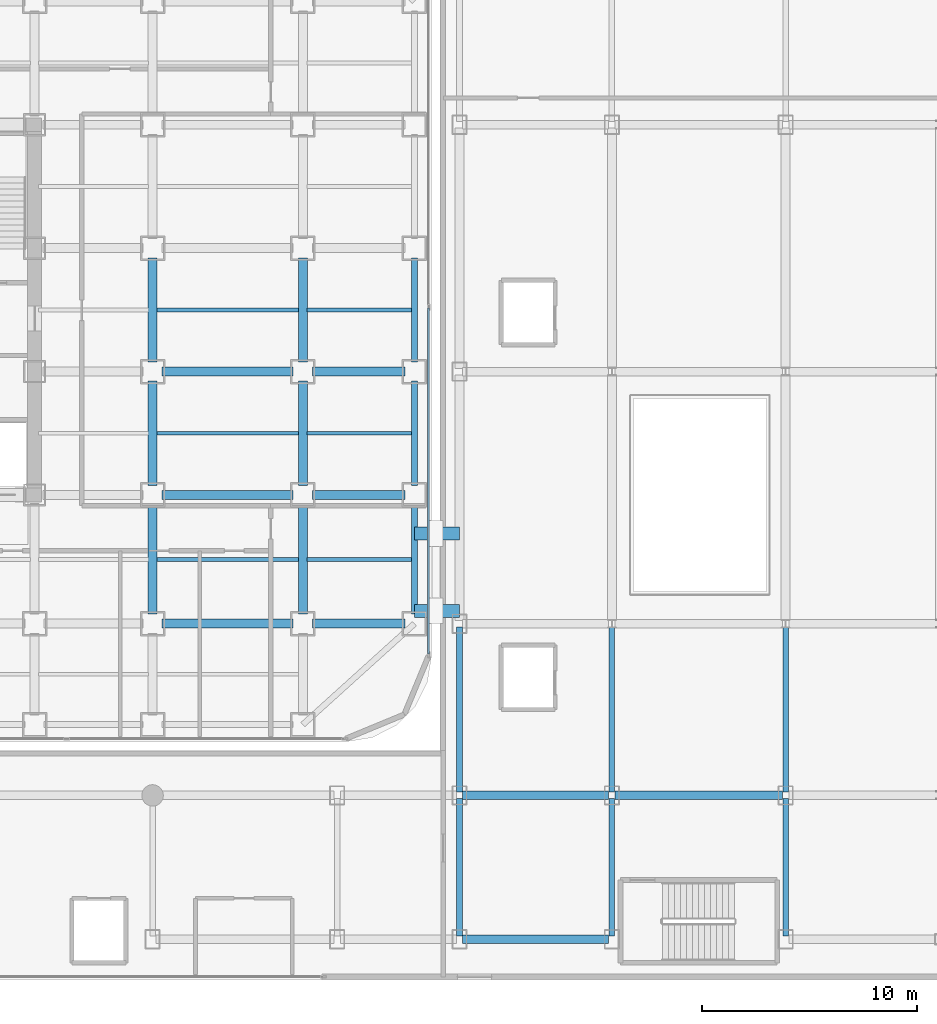
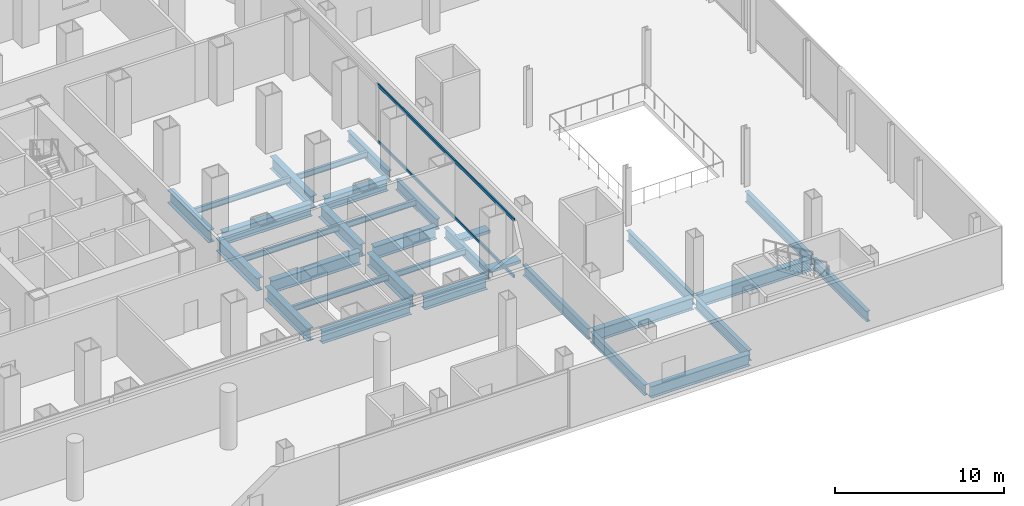
# One storey, part 11 of 26: 30 beams, 4 members, 1 element without a shape of its own.
"""IFC4 building model written with IfcOpenShell, lengths in metres."""

import ifcopenshell
import ifcopenshell.guid

model = None  # the IFC model being written
_history = None  # IfcOwnerHistory: only IFC2X3 demands one
_inside = {}  # id of a spatial element -> (the spatial element, [elements in it])
_under = {}  # id of a project, library or spatial element -> (it, [spatial elements below it])
_declared = {}  # id of a project -> (the project, [libraries it declares])
_typed = {}  # id of a type object -> (the type object, [elements of that type])
_made_of = {}  # id of a material, layer set ... -> (it, [elements and type objects made of it])


def new_model(schema):
    """Start an empty IFC model of exactly this schema.

    Asked for "IFC4X3", IfcOpenShell would pick the latest addendum, in which some entities
    have other attributes; the version numbers below select the first issue.
    IFC2X3 requires an IfcOwnerHistory on every rooted entity: one is made here for all.
    """
    global model, _history
    if schema == "IFC4X3":
        model = ifcopenshell.file(schema_version=(4, 3, 0, 0))
    else:
        model = ifcopenshell.file(schema=schema)
    _inside.clear()
    _under.clear()
    _declared.clear()
    _typed.clear()
    _made_of.clear()
    _history = None
    if model.schema == "IFC2X3":
        org = make("IfcOrganization", Name="unknown")
        user = make(
            "IfcPersonAndOrganization",
            ThePerson=make("IfcPerson", FamilyName="unknown"),
            TheOrganization=org,
        )
        app = make(
            "IfcApplication",
            ApplicationDeveloper=org,
            Version="unknown",
            ApplicationFullName="unknown",
            ApplicationIdentifier="unknown",
        )
        _history = make(
            "IfcOwnerHistory",
            OwningUser=user,
            OwningApplication=app,
            ChangeAction="ADDED",
            CreationDate=0,
        )
    return model


def make(cls, **values):
    """One entity of the class cls with the attributes given. An attribute that is None is left unset."""
    return model.create_entity(
        cls, **{name: value for name, value in values.items() if value is not None}
    )


def rooted(cls, **values):
    """An entity with a GlobalId (a new one), such as an element, a storey or a relation."""
    return make(cls, GlobalId=ifcopenshell.guid.new(), OwnerHistory=_history, **values)


def si_unit(unit_type, name, prefix=None):
    """IfcSIUnit, for example si_unit("LENGTHUNIT", "METRE", prefix="MILLI")."""
    return make("IfcSIUnit", UnitType=unit_type, Prefix=prefix, Name=name)


def assignment(units):
    """IfcUnitAssignment: the units of a project."""
    return None if units is None else make("IfcUnitAssignment", Units=units)


def point(xyz):
    """IfcCartesianPoint."""
    return None if xyz is None else make("IfcCartesianPoint", Coordinates=xyz)


def direction(xyz):
    """IfcDirection."""
    return None if xyz is None else make("IfcDirection", DirectionRatios=xyz)


def frame(location, z_axis=None, x_axis=None):
    """IfcAxis2Placement3D, a coordinate frame: its origin and axes. An axis left out is left unset."""
    return make(
        "IfcAxis2Placement3D",
        Location=point(location),
        Axis=direction(z_axis),
        RefDirection=direction(x_axis),
    )


def frame_2d(location, x_axis=None):
    """IfcAxis2Placement2D, a coordinate frame in the plane: its origin and x axis."""
    return make(
        "IfcAxis2Placement2D", Location=point(location), RefDirection=direction(x_axis)
    )


def origin():
    """The frame at (0, 0, 0) with its axes left unset."""
    return frame((0.0, 0.0, 0.0))


def origin_2d():
    """The frame at (0, 0) in the plane with its x axis left unset."""
    return frame_2d((0.0, 0.0))


def place(relative_to, where):
    """IfcLocalPlacement: puts the frame where relative to a parent placement (None: the world)."""
    return make(
        "IfcLocalPlacement", PlacementRelTo=relative_to, RelativePlacement=where
    )


def context(
    kind, dimensions, precision=None, world=None, true_north=None, identifier=None
):
    """IfcGeometricRepresentationContext, for example the 3D "Model" context."""
    return make(
        "IfcGeometricRepresentationContext",
        ContextIdentifier=identifier,
        ContextType=kind,
        CoordinateSpaceDimension=dimensions,
        Precision=precision,
        WorldCoordinateSystem=world,
        TrueNorth=true_north,
    )


def subcontext(parent, identifier, kind, view, scale=None):
    """IfcGeometricRepresentationSubContext, for example "Body" below "Model"."""
    return make(
        "IfcGeometricRepresentationSubContext",
        ContextIdentifier=identifier,
        ContextType=kind,
        ParentContext=parent,
        TargetScale=scale,
        TargetView=view,
    )


def project(units=None, contexts=None):
    """IfcProject with its units and contexts."""
    return rooted(
        "IfcProject",
        Name="project",
        RepresentationContexts=contexts,
        UnitsInContext=assignment(units),
    )


def spatial(cls, under=None, at=None, **own):
    """A site, building, storey or space (cls), placed at a placement, below another one or the project."""
    s = rooted(cls, ObjectPlacement=at, **own)
    if under is not None:
        _under.setdefault(under.id(), (under, []))[1].append(s)
    return s


def profile(cls, at=None, kind="AREA", **sizes):
    """A parametric profile (cls). Its sizes go by their IFC names, for example OverallWidth=200.0."""
    return make(cls, ProfileType=kind, Position=at, **sizes)


def hollow_rectangle(**sizes):
    """IfcRectangleHollowProfileDef."""
    return profile("IfcRectangleHollowProfileDef", **sizes)


def i_section(**sizes):
    """IfcIShapeProfileDef."""
    return profile("IfcIShapeProfileDef", **sizes)


def extrude(swept, where, along, depth):
    """IfcExtrudedAreaSolid: the profile swept, set in the frame where, extruded along a direction by depth."""
    return make(
        "IfcExtrudedAreaSolid",
        SweptArea=swept,
        Position=where,
        ExtrudedDirection=direction(along),
        Depth=depth,
    )


def shape(context_of_items, identifier, shape_type, items):
    """IfcShapeRepresentation: the items that make up one representation, for example the "Body"."""
    return make(
        "IfcShapeRepresentation",
        ContextOfItems=context_of_items,
        RepresentationIdentifier=identifier,
        RepresentationType=shape_type,
        Items=items,
    )


def source(mapping_origin, context_of_items, identifier, shape_type, items):
    """IfcRepresentationMap: a shape defined once, which mapped items show again and again."""
    return make(
        "IfcRepresentationMap",
        MappingOrigin=mapping_origin,
        MappedRepresentation=shape(context_of_items, identifier, shape_type, items),
    )


def transform(
    local_origin,
    x_axis=None,
    y_axis=None,
    z_axis=None,
    scale=None,
    scale2=None,
    scale3=None,
    uniform=True,
):
    """IfcCartesianTransformationOperator3D, or its non-uniform kind. x_axis, y_axis, z_axis: its Axis1, 2, 3."""
    if uniform:
        return make(
            "IfcCartesianTransformationOperator3D",
            Axis1=direction(x_axis),
            Axis2=direction(y_axis),
            LocalOrigin=point(local_origin),
            Scale=scale,
            Axis3=direction(z_axis),
        )
    return make(
        "IfcCartesianTransformationOperator3DnonUniform",
        Axis1=direction(x_axis),
        Axis2=direction(y_axis),
        LocalOrigin=point(local_origin),
        Scale=scale,
        Axis3=direction(z_axis),
        Scale2=scale2,
        Scale3=scale3,
    )


def mapped(mapping_source, mapping_target):
    """IfcMappedItem: shows the shape of a source again, moved by a transform."""
    return make(
        "IfcMappedItem", MappingSource=mapping_source, MappingTarget=mapping_target
    )


def material(Name=None, Category=None):
    """IfcMaterial."""
    return make("IfcMaterial", Name=Name, Category=Category)


def layer(
    of_material, thickness, ventilated=None, Name=None, Category=None, Priority=None
):
    """IfcMaterialLayer: one layer of a wall or slab, of a material (None: an air gap)."""
    return make(
        "IfcMaterialLayer",
        Material=of_material,
        LayerThickness=thickness,
        IsVentilated=ventilated,
        Name=Name,
        Category=Category,
        Priority=Priority,
    )


def layer_set(layers, Name=None):
    """IfcMaterialLayerSet."""
    return make("IfcMaterialLayerSet", MaterialLayers=layers, LayerSetName=Name)


def material_profile(
    of_material, cross_section, Name=None, Category=None, Priority=None
):
    """IfcMaterialProfile: a cross section and its material."""
    return make(
        "IfcMaterialProfile",
        Name=Name,
        Material=of_material,
        Profile=cross_section,
        Priority=Priority,
        Category=Category,
    )


def profile_set(profiles, Name=None, composite=None):
    """IfcMaterialProfileSet."""
    return make(
        "IfcMaterialProfileSet",
        Name=Name,
        MaterialProfiles=profiles,
        CompositeProfile=composite,
    )


def made_of(thing, what):
    """Note that an element or type object is made of a material, layer set ...; save() writes the relation."""
    if what is not None:
        _made_of.setdefault(what.id(), (what, []))[1].append(thing)
    return thing


def type_object(cls, material=None, **own):
    """A type object (cls), such as IfcWallType, which elements share."""
    return made_of(rooted(cls, **own), material)


def element(
    cls,
    number,
    at=None,
    inside=None,
    cuts=None,
    type_object=None,
    material=None,
    context=None,
    identifier="Body",
    shape_type=None,
    held_by="IfcProductDefinitionShape",
    body=None,
    shapes=None,
    **own,
):
    """One element of the class cls, such as IfcWall. Its Tag is "e" and its number.

    at: its placement. inside: the storey or other place that contains it. cuts: it is an
    opening in that element (IfcRelVoidsElement). A single representation is given by context,
    identifier, shape_type and body (its items); several are given by shapes. held_by: the class
    of the entity that holds the representations. save() writes the other relations.
    """
    e = rooted(cls, Tag="e%d" % number, ObjectPlacement=at, **own)
    if body is not None:
        shapes = [shape(context, identifier, shape_type, body)]
    if shapes is not None:
        e.Representation = make(held_by, Representations=shapes)
    if inside is not None:
        _inside.setdefault(inside.id(), (inside, []))[1].append(e)
    if cuts is not None:
        rooted(
            "IfcRelVoidsElement", RelatingBuildingElement=cuts, RelatedOpeningElement=e
        )
    if type_object is not None:
        _typed.setdefault(type_object.id(), (type_object, []))[1].append(e)
    return made_of(e, material)


def aggregate(whole, parts):
    """IfcRelAggregates: a whole, such as a stair, and the parts it consists of."""
    return rooted("IfcRelAggregates", RelatingObject=whole, RelatedObjects=parts)


def save(model, path):
    """Write the relations noted so far, then the file.

    IfcRelAggregates (storeys below a building ...), IfcRelContainedInSpatialStructure (elements
    in a storey), IfcRelDefinesByType, IfcRelAssociatesMaterial and IfcRelDeclares: one each for
    every whole, place, type object, material and project.
    """
    for whole, parts in _under.values():
        aggregate(whole, parts)
    for where, things in _inside.values():
        rooted(
            "IfcRelContainedInSpatialStructure",
            RelatedElements=things,
            RelatingStructure=where,
        )
    for kind, things in _typed.values():
        rooted("IfcRelDefinesByType", RelatedObjects=things, RelatingType=kind)
    for what, things in _made_of.values():
        rooted("IfcRelAssociatesMaterial", RelatedObjects=things, RelatingMaterial=what)
    for by, libraries in _declared.values():
        rooted("IfcRelDeclares", RelatingContext=by, RelatedDefinitions=libraries)
    model.write(path)


model = new_model("IFC4")

# Units and contexts
model_context = context("Model", 3, precision=1e-05, world=origin(), true_north=direction((0.0, 1.0)))
body_context = subcontext(model_context, "Body", "Model", "MODEL_VIEW")
ifc_project = project(units=[si_unit("LENGTHUNIT", "METRE"), si_unit("AREAUNIT", "SQUARE_METRE"), si_unit("VOLUMEUNIT", "CUBIC_METRE"), si_unit("PLANEANGLEUNIT", "RADIAN"), si_unit("MASSUNIT", "GRAM", prefix="KILO")], contexts=[model_context])

# Site, building, storey
site_placement = place(None, origin())
site = spatial("IfcSite", under=ifc_project, at=site_placement, CompositionType="ELEMENT")
building_placement = place(site_placement, origin())
building = spatial("IfcBuilding", under=site, at=building_placement, Name="Kolveth Station Tower", CompositionType="ELEMENT")
storey_placement = place(building_placement, frame((0.0, 0.0, 4.5)))
storey = spatial("IfcBuildingStorey", under=building, at=storey_placement, Name="L01", CompositionType="ELEMENT", Elevation=4.5)

# Beams
ifc_material_1 = material(Name="Steel S355", Category="steel")
ifc_material_profile_1 = material_profile(ifc_material_1, i_section(OverallWidth=0.26904296875, OverallDepth=0.77490234375, WebThickness=0.01708984375, FlangeThickness=0.0283203125, at=origin_2d()), Name="W760x220")
ifc_profile_set_1 = profile_set([ifc_material_profile_1], Name="Steel S355")
beam_type_1 = type_object("IfcBeamType", Name="Beam_SP1", PredefinedType="SPANDREL", material=ifc_profile_set_1)
shared_shape_1 = source(origin(), body_context, "Body", "SweptSolid", [
    extrude(i_section(OverallWidth=0.26904296875, OverallDepth=0.77490234375, WebThickness=0.01708984375, FlangeThickness=0.0283203125, at=origin_2d()), origin(), (0.0, 0.0, 1.0), 5.10009765625),
])
beam_1_placement = place(storey_placement, frame((46.199951171875, 5.949951171875, -0.70751953125), z_axis=(0.0, 1.0, 0.0), x_axis=(-1.0, 0.0, 0.0)))
element("IfcBeam", 1, at=beam_1_placement, inside=storey, type_object=beam_type_1, Name="L01 Perimeter Spandrel BM-L01-PE-1", PredefinedType="SPANDREL", context=body_context, shape_type="MappedRepresentation", body=[
    mapped(shared_shape_1, transform((0.0, 0.0, 0.0), x_axis=(1.0, 0.0, 0.0), y_axis=(0.0, 1.0, 0.0), z_axis=(0.0, 0.0, 1.0), scale=1.0)),
])
shared_shape_2 = source(origin(), body_context, "Body", "SweptSolid", [
    extrude(i_section(OverallWidth=0.26904296875, OverallDepth=0.77490234375, WebThickness=0.01708984375, FlangeThickness=0.0283203125, at=origin_2d()), origin(), (0.0, 0.0, 1.0), 4.85009765625),
])
for number, where, z_axis, x_axis, name in (
    (2, (46.199951171875, 11.949951171875, -0.70751953125), (0.0, 1.0, 0.0), (-1.0, 0.0, 0.0), "L01 Perimeter Spandrel BM-L01-PE-2"),
    (3, (46.199951171875, 17.699951171875, -0.70751953125), (0.0, 1.0, 0.0), (-1.0, 0.0, 0.0), "L01 Perimeter Spandrel BM-L01-PE-3"),
):
    element("IfcBeam", number, at=place(storey_placement, frame(where, z_axis=z_axis, x_axis=x_axis)), inside=storey, type_object=beam_type_1, Name=name, PredefinedType="SPANDREL", context=body_context, shape_type="MappedRepresentation", body=[
        mapped(shared_shape_2, transform((0.0, 0.0, 0.0), x_axis=(1.0, 0.0, 0.0), y_axis=(0.0, 1.0, 0.0), z_axis=(0.0, 0.0, 1.0), scale=1.0)),
    ])
ifc_material_profile_2 = material_profile(ifc_material_1, i_section(OverallWidth=0.41796875, OverallDepth=0.912109375, WebThickness=0.019287109375, FlangeThickness=0.031982421875, at=origin_2d()), Name="W920x342")
ifc_profile_set_2 = profile_set([ifc_material_profile_2], Name="Steel S355")
beam_type_2 = type_object("IfcBeamType", Name="Beam_B1", PredefinedType="BEAM", material=ifc_profile_set_2)
shared_shape_3 = source(origin(), body_context, "Body", "SweptSolid", [
    extrude(i_section(OverallWidth=0.41796875, OverallDepth=0.912109375, WebThickness=0.019287109375, FlangeThickness=0.031982421875, at=origin_2d()), origin(), (0.0, 0.0, 1.0), 4.300048828125),
])
for number, where, z_axis, x_axis, name in (
    (4, (41.449951171875, 5.5, -0.77587890625), (1.0, 0.0, 0.0), (0.0, 1.0, 0.0), "L01 Primary Girder BM-L01-GY55-7"),
    (5, (41.449951171875, 11.5, -0.77587890625), (1.0, 0.0, 0.0), (0.0, 1.0, 0.0), "L01 Primary Girder BM-L01-GY115-7"),
    (6, (41.449951171875, 17.25, -0.77587890625), (1.0, 0.0, 0.0), (0.0, 1.0, 0.0), "L01 Primary Girder BM-L01-GY172-7"),
):
    element("IfcBeam", number, at=place(storey_placement, frame(where, z_axis=z_axis, x_axis=x_axis)), inside=storey, type_object=beam_type_2, Name=name, PredefinedType="BEAM", context=body_context, shape_type="MappedRepresentation", body=[
        mapped(shared_shape_3, transform((0.0, 0.0, 0.0), x_axis=(1.0, 0.0, 0.0), y_axis=(0.0, 1.0, 0.0), z_axis=(0.0, 0.0, 1.0), scale=1.0)),
    ])
shared_shape_4 = source(origin(), body_context, "Body", "SweptSolid", [
    extrude(i_section(OverallWidth=0.41796875, OverallDepth=0.912109375, WebThickness=0.019287109375, FlangeThickness=0.031982421875, at=origin_2d()), origin(), (0.0, 0.0, 1.0), 6.10009765625),
])
for number, where, z_axis, x_axis, name in (
    (7, (34.449951171875, 5.5, -0.77587890625), (1.0, 0.0, 0.0), (0.0, 1.0, 0.0), "L01 Primary Girder BM-L01-GY55-6"),
    (8, (34.449951171875, 11.5, -0.77587890625), (1.0, 0.0, 0.0), (0.0, 1.0, 0.0), "L01 Primary Girder BM-L01-GY115-6"),
    (9, (34.449951171875, 17.25, -0.77587890625), (1.0, 0.0, 0.0), (0.0, 1.0, 0.0), "L01 Primary Girder BM-L01-GY172-6"),
):
    element("IfcBeam", number, at=place(storey_placement, frame(where, z_axis=z_axis, x_axis=x_axis)), inside=storey, type_object=beam_type_2, Name=name, PredefinedType="BEAM", context=body_context, shape_type="MappedRepresentation", body=[
        mapped(shared_shape_4, transform((0.0, 0.0, 0.0), x_axis=(1.0, 0.0, 0.0), y_axis=(0.0, 1.0, 0.0), z_axis=(0.0, 0.0, 1.0), scale=1.0)),
    ])
shared_shape_5 = source(origin(), body_context, "Body", "SweptSolid", [
    extrude(i_section(OverallWidth=0.41796875, OverallDepth=0.912109375, WebThickness=0.019287109375, FlangeThickness=0.031982421875, at=origin_2d()), origin(), (0.0, 0.0, 1.0), 5.10009765625),
])
for number, where, z_axis, x_axis, name in (
    (10, (34.0, 5.949951171875, -0.77587890625), (0.0, 1.0, 0.0), (-1.0, 0.0, 0.0), "L01 Primary Girder BM-L01-GX340-2"),
    (11, (41.0, 5.949951171875, -0.77587890625), (0.0, 1.0, 0.0), (-1.0, 0.0, 0.0), "L01 Primary Girder BM-L01-GX410-2"),
):
    element("IfcBeam", number, at=place(storey_placement, frame(where, z_axis=z_axis, x_axis=x_axis)), inside=storey, type_object=beam_type_2, Name=name, PredefinedType="BEAM", context=body_context, shape_type="MappedRepresentation", body=[
        mapped(shared_shape_5, transform((0.0, 0.0, 0.0), x_axis=(1.0, 0.0, 0.0), y_axis=(0.0, 1.0, 0.0), z_axis=(0.0, 0.0, 1.0), scale=1.0)),
    ])
shared_shape_6 = source(origin(), body_context, "Body", "SweptSolid", [
    extrude(i_section(OverallWidth=0.41796875, OverallDepth=0.912109375, WebThickness=0.019287109375, FlangeThickness=0.031982421875, at=origin_2d()), origin(), (0.0, 0.0, 1.0), 4.85009765625),
])
for number, where, z_axis, x_axis, name in (
    (12, (34.0, 11.949951171875, -0.77587890625), (0.0, 1.0, 0.0), (-1.0, 0.0, 0.0), "L01 Primary Girder BM-L01-GX340-3"),
    (13, (34.0, 17.699951171875, -0.77587890625), (0.0, 1.0, 0.0), (-1.0, 0.0, 0.0), "L01 Primary Girder BM-L01-GX340-4"),
    (14, (41.0, 11.949951171875, -0.77587890625), (0.0, 1.0, 0.0), (-1.0, 0.0, 0.0), "L01 Primary Girder BM-L01-GX410-3"),
    (15, (41.0, 17.699951171875, -0.77587890625), (0.0, 1.0, 0.0), (-1.0, 0.0, 0.0), "L01 Primary Girder BM-L01-GX410-4"),
):
    element("IfcBeam", number, at=place(storey_placement, frame(where, z_axis=z_axis, x_axis=x_axis)), inside=storey, type_object=beam_type_2, Name=name, PredefinedType="BEAM", context=body_context, shape_type="MappedRepresentation", body=[
        mapped(shared_shape_6, transform((0.0, 0.0, 0.0), x_axis=(1.0, 0.0, 0.0), y_axis=(0.0, 1.0, 0.0), z_axis=(0.0, 0.0, 1.0), scale=1.0)),
    ])
ifc_material_profile_3 = material_profile(ifc_material_1, i_section(OverallWidth=0.177978515625, OverallDepth=0.406982421875, WebThickness=0.0078125, FlangeThickness=0.0126953125, at=origin_2d()), Name="W410x60")
ifc_profile_set_3 = profile_set([ifc_material_profile_3], Name="Steel S355")
beam_type_3 = type_object("IfcBeamType", Name="Beam_J1", PredefinedType="JOIST", material=ifc_profile_set_3)
shared_shape_7 = source(origin(), body_context, "Body", "SweptSolid", [
    extrude(i_section(OverallWidth=0.177978515625, OverallDepth=0.406982421875, WebThickness=0.0078125, FlangeThickness=0.0126953125, at=origin_2d()), origin(), (0.0, 0.0, 1.0), 4.872314453125),
])
for number, where, z_axis, x_axis, name in (
    (16, (41.195068359375, 8.5, -0.5234375), (1.0, 0.0, 0.0), (0.0, 1.0, 0.0), "L01 Secondary Joist JST-L01-7-2"),
    (17, (41.195068359375, 14.375, -0.5234375), (1.0, 0.0, 0.0), (0.0, 1.0, 0.0), "L01 Secondary Joist JST-L01-7-3"),
    (18, (41.195068359375, 20.125, -0.5234375), (1.0, 0.0, 0.0), (0.0, 1.0, 0.0), "L01 Secondary Joist JST-L01-7-4"),
):
    element("IfcBeam", number, at=place(storey_placement, frame(where, z_axis=z_axis, x_axis=x_axis)), inside=storey, type_object=beam_type_3, Name=name, PredefinedType="JOIST", context=body_context, shape_type="MappedRepresentation", body=[
        mapped(shared_shape_7, transform((0.0, 0.0, 0.0), x_axis=(1.0, 0.0, 0.0), y_axis=(0.0, 1.0, 0.0), z_axis=(0.0, 0.0, 1.0), scale=1.0)),
    ])
shared_shape_8 = source(origin(), body_context, "Body", "SweptSolid", [
    extrude(i_section(OverallWidth=0.177978515625, OverallDepth=0.406982421875, WebThickness=0.0078125, FlangeThickness=0.0126953125, at=origin_2d()), origin(), (0.0, 0.0, 1.0), 6.60986328125),
])
for number, where, z_axis, x_axis, name in (
    (19, (34.195068359375, 8.5, -0.5234375), (1.0, 0.0, 0.0), (0.0, 1.0, 0.0), "L01 Secondary Joist JST-L01-6-2"),
    (20, (34.195068359375, 14.375, -0.5234375), (1.0, 0.0, 0.0), (0.0, 1.0, 0.0), "L01 Secondary Joist JST-L01-6-3"),
    (21, (34.195068359375, 20.125, -0.5234375), (1.0, 0.0, 0.0), (0.0, 1.0, 0.0), "L01 Secondary Joist JST-L01-6-4"),
):
    element("IfcBeam", number, at=place(storey_placement, frame(where, z_axis=z_axis, x_axis=x_axis)), inside=storey, type_object=beam_type_3, Name=name, PredefinedType="JOIST", context=body_context, shape_type="MappedRepresentation", body=[
        mapped(shared_shape_8, transform((0.0, 0.0, 0.0), x_axis=(1.0, 0.0, 0.0), y_axis=(0.0, 1.0, 0.0), z_axis=(0.0, 0.0, 1.0), scale=1.0)),
    ])
ifc_material_profile_4 = material_profile(ifc_material_1, i_section(OverallWidth=0.40087890625, OverallDepth=0.85107421875, WebThickness=0.01611328125, FlangeThickness=0.025390625, at=origin_2d()), Name="W840x226")
ifc_profile_set_4 = profile_set([ifc_material_profile_4], Name="Steel S355")
beam_type_4 = type_object("IfcBeamType", Name="Beam_B2", PredefinedType="BEAM", material=ifc_profile_set_4)
shared_shape_9 = source(origin(), body_context, "Body", "SweptSolid", [
    extrude(i_section(OverallWidth=0.40087890625, OverallDepth=0.85107421875, WebThickness=0.01611328125, FlangeThickness=0.025390625, at=origin_2d()), origin(), (0.0, 0.0, 1.0), 6.800048828125),
])
for number, where, z_axis, x_axis, name in (
    (22, (48.449951171875, -9.199951171875, -0.74560546875), (1.0, 0.0, 0.0), (0.0, 1.0, 0.0), "L01 Station Portal Girder SBM-L01-EW-1-1"),
    (23, (48.449951171875, -2.5, -0.74560546875), (1.0, 0.0, 0.0), (0.0, 1.0, 0.0), "L01 Station Portal Girder SBM-L01-EW-2-1"),
):
    element("IfcBeam", number, at=place(storey_placement, frame(where, z_axis=z_axis, x_axis=x_axis)), inside=storey, type_object=beam_type_4, Name=name, PredefinedType="BEAM", context=body_context, shape_type="MappedRepresentation", body=[
        mapped(shared_shape_9, transform((0.0, 0.0, 0.0), x_axis=(1.0, 0.0, 0.0), y_axis=(0.0, 1.0, 0.0), z_axis=(0.0, 0.0, 1.0), scale=1.0)),
    ])
shared_shape_10 = source(origin(), body_context, "Body", "SweptSolid", [
    extrude(i_section(OverallWidth=0.40087890625, OverallDepth=0.85107421875, WebThickness=0.01611328125, FlangeThickness=0.025390625, at=origin_2d()), origin(), (0.0, 0.0, 1.0), 7.800048828125),
])
beam_2_placement = place(storey_placement, frame((55.550048828125, -2.5, -0.74560546875), z_axis=(1.0, 0.0, 0.0), x_axis=(0.0, 1.0, 0.0)))
element("IfcBeam", 24, at=beam_2_placement, inside=storey, type_object=beam_type_4, Name="L01 Station Portal Girder SBM-L01-EW-2-2", PredefinedType="BEAM", context=body_context, shape_type="MappedRepresentation", body=[
    mapped(shared_shape_10, transform((0.0, 0.0, 0.0), x_axis=(1.0, 0.0, 0.0), y_axis=(0.0, 1.0, 0.0), z_axis=(0.0, 0.0, 1.0), scale=1.0)),
])
ifc_material_profile_5 = material_profile(ifc_material_1, i_section(OverallWidth=0.26708984375, OverallDepth=0.76611328125, WebThickness=0.014892578125, FlangeThickness=0.023681640625, at=origin_2d()), Name="W760x185")
ifc_profile_set_5 = profile_set([ifc_material_profile_5], Name="Steel S355")
beam_type_5 = type_object("IfcBeamType", Name="Beam_B3", PredefinedType="BEAM", material=ifc_profile_set_5)
shared_shape_11 = source(origin(), body_context, "Body", "SweptSolid", [
    extrude(i_section(OverallWidth=0.26708984375, OverallDepth=0.76611328125, WebThickness=0.014892578125, FlangeThickness=0.023681640625, at=origin_2d()), origin(), (0.0, 0.0, 1.0), 6.400146484375),
])
for number, where, z_axis, x_axis, name in (
    (25, (48.300048828125, -9.050048828125, -0.702880859375), (0.0, 1.0, 0.0), (-1.0, 0.0, 0.0), "L01 Station Spine Girder SBM-L01-NS-1-1"),
    (26, (55.39990234375, -9.050048828125, -0.702880859375), (0.0, 1.0, 0.0), (-1.0, 0.0, 0.0), "L01 Station Spine Girder SBM-L01-NS-2-1"),
    (27, (63.5, -9.050048828125, -0.702880859375), (0.0, 1.0, 0.0), (-1.0, 0.0, 0.0), "L01 Station Spine Girder SBM-L01-NS-3-1"),
):
    element("IfcBeam", number, at=place(storey_placement, frame(where, z_axis=z_axis, x_axis=x_axis)), inside=storey, type_object=beam_type_5, Name=name, PredefinedType="BEAM", context=body_context, shape_type="MappedRepresentation", body=[
        mapped(shared_shape_11, transform((0.0, 0.0, 0.0), x_axis=(1.0, 0.0, 0.0), y_axis=(0.0, 1.0, 0.0), z_axis=(0.0, 0.0, 1.0), scale=1.0)),
    ])
shared_shape_12 = source(origin(), body_context, "Body", "SweptSolid", [
    extrude(i_section(OverallWidth=0.26708984375, OverallDepth=0.76611328125, WebThickness=0.014892578125, FlangeThickness=0.023681640625, at=origin_2d()), origin(), (0.0, 0.0, 1.0), 7.7001953125),
])
for number, where, z_axis, x_axis, name in (
    (28, (48.300048828125, -2.35009765625, -0.702880859375), (0.0, 1.0, 0.0), (-1.0, 0.0, 0.0), "L01 Station Spine Girder SBM-L01-NS-1-2"),
    (29, (55.39990234375, -2.35009765625, -0.702880859375), (0.0, 1.0, 0.0), (-1.0, 0.0, 0.0), "L01 Station Spine Girder SBM-L01-NS-2-2"),
    (30, (63.5, -2.35009765625, -0.702880859375), (0.0, 1.0, 0.0), (-1.0, 0.0, 0.0), "L01 Station Spine Girder SBM-L01-NS-3-2"),
):
    element("IfcBeam", number, at=place(storey_placement, frame(where, z_axis=z_axis, x_axis=x_axis)), inside=storey, type_object=beam_type_5, Name=name, PredefinedType="BEAM", context=body_context, shape_type="MappedRepresentation", body=[
        mapped(shared_shape_12, transform((0.0, 0.0, 0.0), x_axis=(1.0, 0.0, 0.0), y_axis=(0.0, 1.0, 0.0), z_axis=(0.0, 0.0, 1.0), scale=1.0)),
    ])

# Members
ifc_material_2 = material(Name="Steel S355 and PTFE elastomer", Category="steel")
ifc_material_profile_6 = material_profile(ifc_material_2, hollow_rectangle(XDim=0.60009765625, YDim=0.219970703125, WallThickness=0.0400390625, at=origin_2d()), Name="PTFE-BEARING-750x600")
ifc_profile_set_6 = profile_set([ifc_material_profile_6], Name="Steel S355 and PTFE elastomer")
member_type_1 = type_object("IfcMemberType", Name="Mem_BRG1", PredefinedType="USERDEFINED", material=ifc_profile_set_6)
shared_shape_13 = source(origin(), body_context, "Body", "SweptSolid", [
    extrude(hollow_rectangle(XDim=0.60009765625, YDim=0.219970703125, WallThickness=0.0400390625, at=origin_2d()), origin(), (0.0, 0.0, 1.0), 2.10009765625),
])
for number, where, z_axis, x_axis, name in (
    (31, (46.199951171875, 6.10009765625, -0.429931640625), (1.0, 0.0, 0.0), (0.0, 1.0, 0.0), "L01 Unguided PTFE Sliding Bearing 2.1"),
    (32, (46.199951171875, 9.699951171875, -0.429931640625), (1.0, 0.0, 0.0), (0.0, 1.0, 0.0), "L01 Unguided PTFE Sliding Bearing 2.2"),
):
    element("IfcMember", number, at=place(storey_placement, frame(where, z_axis=z_axis, x_axis=x_axis)), inside=storey, type_object=member_type_1, Name=name, ObjectType="BEARING", PredefinedType="USERDEFINED", context=body_context, shape_type="MappedRepresentation", body=[
        mapped(shared_shape_13, transform((0.0, 0.0, 0.0), x_axis=(1.0, 0.0, 0.0), y_axis=(0.0, 1.0, 0.0), z_axis=(0.0, 0.0, 1.0), scale=1.0)),
    ])

# Curtain wall, members
ifc_material_3 = material(Name="Black anodized aluminium 6063-T6 and clear station glass", Category="aluminium")
ifc_layer = layer(ifc_material_3, 0.239990234375)
ifc_layer_set = layer_set([ifc_layer], Name="Black anodized aluminium 6063-T6 and clear station glass")
curtain_wall_type = type_object("IfcCurtainWallType", Name="CurtainWall_CW-ST", PredefinedType="NOTDEFINED", material=ifc_layer_set)
curtain_wall_placement = place(storey_placement, origin())
curtain_wall = element("IfcCurtainWall", 33, at=curtain_wall_placement, inside=storey, type_object=curtain_wall_type, Name="L01 Tower Podium East Storefront Curtain Wall", PredefinedType="NOTDEFINED")
ifc_material_4 = material(Name="Black anodized aluminium 6063-T6", Category="aluminium")
ifc_material_profile_7 = material_profile(ifc_material_4, hollow_rectangle(XDim=0.094970703125, YDim=0.219970703125, WallThickness=0.0048828125, at=origin_2d()), Name="ALU-95x220x5")
ifc_profile_set_7 = profile_set([ifc_material_profile_7], Name="Black anodized aluminium 6063-T6")
member_type_2 = type_object("IfcMemberType", Name="Transom_TR-ST", PredefinedType="USERDEFINED", material=ifc_profile_set_7)
shared_shape_14 = source(origin(), body_context, "Body", "SweptSolid", [
    extrude(hollow_rectangle(XDim=0.094970703125, YDim=0.219970703125, WallThickness=0.0048828125, at=origin_2d()), origin(), (0.0, 0.0, 1.0), 16.099853515625),
])
member_1_placement = place(storey_placement, frame((46.860107421875, 4.10009765625, 0.047607421875), z_axis=(0.0, 1.0, 0.0), x_axis=(-1.0, 0.0, 0.0)))
member_1 = element("IfcMember", 34, at=member_1_placement, type_object=member_type_2, Name="CW-ST transom 1.1", ObjectType="TRANSOM", PredefinedType="USERDEFINED", context=body_context, shape_type="MappedRepresentation", body=[
    mapped(shared_shape_14, transform((0.0, 0.0, 0.0), x_axis=(1.0, 0.0, 0.0), y_axis=(0.0, 1.0, 0.0), z_axis=(0.0, 0.0, 1.0), scale=1.0)),
])
member_2_placement = place(storey_placement, frame((46.860107421875, 4.10009765625, 4.132568359375), z_axis=(0.0, 1.0, 0.0), x_axis=(-1.0, 0.0, 0.0)))
member_2 = element("IfcMember", 35, at=member_2_placement, type_object=member_type_2, Name="CW-ST transom 1.2", ObjectType="TRANSOM", PredefinedType="USERDEFINED", context=body_context, shape_type="MappedRepresentation", body=[
    mapped(shared_shape_14, transform((0.0, 0.0, 0.0), x_axis=(1.0, 0.0, 0.0), y_axis=(0.0, 1.0, 0.0), z_axis=(0.0, 0.0, 1.0), scale=1.0)),
])
aggregate(curtain_wall, [member_1, member_2])

save(model, "model.ifc")
